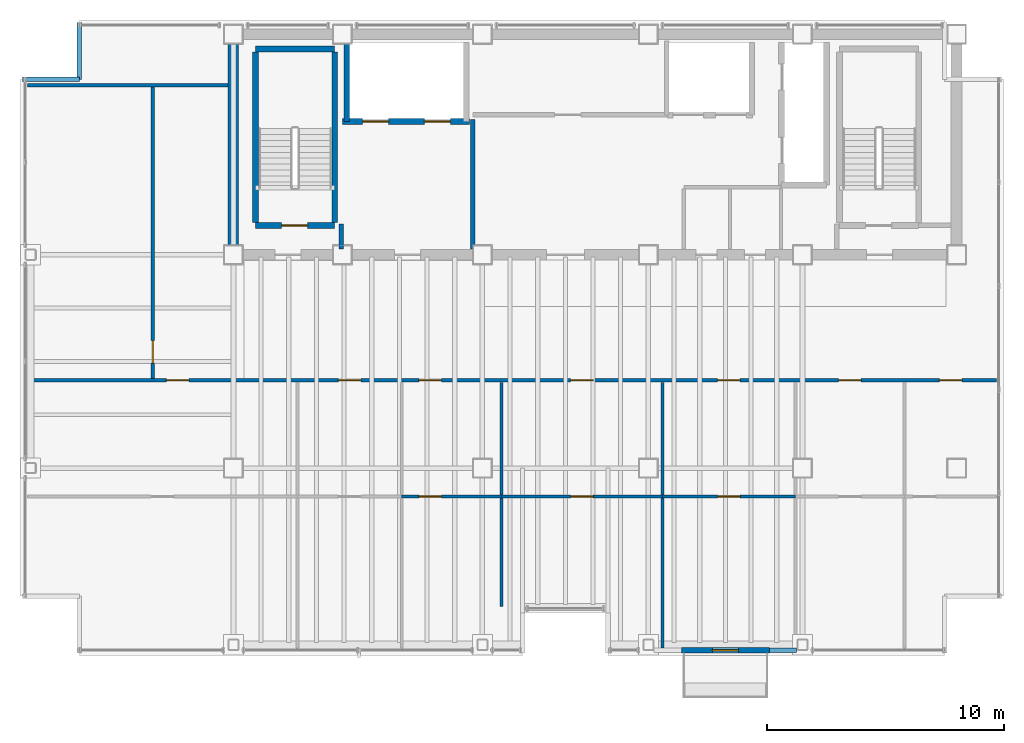
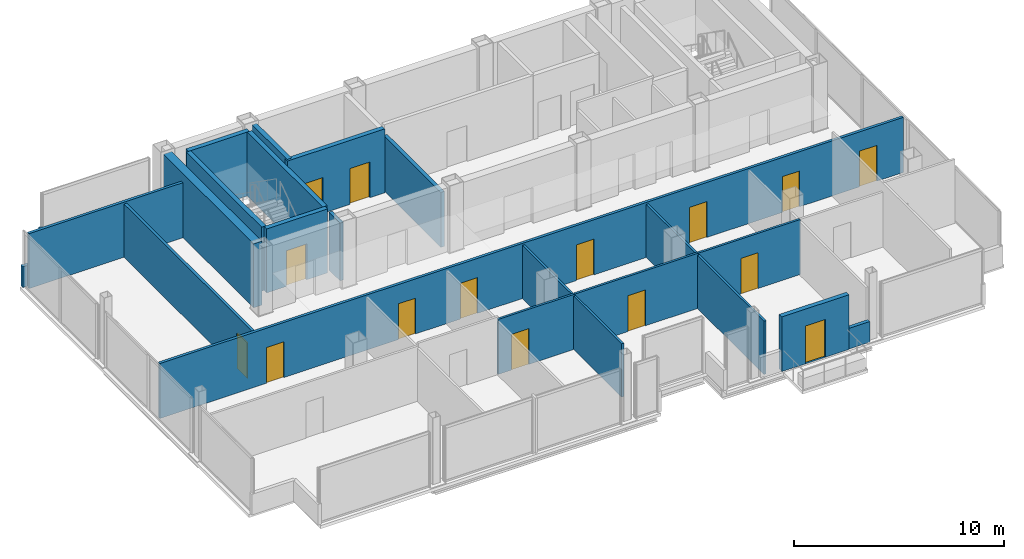
# One storey, part 14 of 17: 21 walls, 15 doors, 15 openings.
"""IFC4 building model written with IfcOpenShell, lengths in metres."""

from ifc_helpers import new_model, si_unit, direction, frame, frame_2d, origin, place, context, subcontext, project, spatial, rectangle, extrude, material, layer, layer_set, type_object, element, fill, save


model = new_model("IFC4")

# Units and contexts
model_context = context("Model", 3, precision=1e-05, world=origin(), true_north=direction((0.0, 1.0)))
body_context = subcontext(model_context, "Body", "Model", "MODEL_VIEW")
ifc_project = project(units=[si_unit("LENGTHUNIT", "METRE"), si_unit("AREAUNIT", "SQUARE_METRE"), si_unit("VOLUMEUNIT", "CUBIC_METRE"), si_unit("PLANEANGLEUNIT", "RADIAN"), si_unit("MASSUNIT", "GRAM", prefix="KILO")], contexts=[model_context])

# Site, building, storey
site_placement = place(None, origin())
site = spatial("IfcSite", under=ifc_project, at=site_placement, CompositionType="ELEMENT")
building_placement = place(site_placement, origin())
building = spatial("IfcBuilding", under=site, at=building_placement, Name="Noeulbin Bourse Tower", CompositionType="ELEMENT")
storey_placement = place(building_placement, frame((0.0, 0.0, 246.199951171875)))
storey = spatial("IfcBuildingStorey", under=building, at=storey_placement, Name="L61", CompositionType="ELEMENT", Elevation=246.199951171875)

# Wall
ifc_material_1 = material(Name="Concrete C50/60", Category="concrete")
ifc_layer_1 = layer(ifc_material_1, 0.449951171875)
ifc_layer_set_1 = layer_set([ifc_layer_1], Name="Concrete C50/60")
wall_type_1 = type_object("IfcWallType", Name="WAL-CORE-450", PredefinedType="SHEAR", material=ifc_layer_set_1)
wall_1_placement = place(storey_placement, frame((13.5, 29.35009765625, 0.0), z_axis=(0.0, 0.0, 1.0), x_axis=(0.0, 1.0, 0.0)))
element("IfcWall", 1, at=wall_1_placement, inside=storey, type_object=wall_type_1, Name="Rear Core West Shear Wall L61", PredefinedType="SHEAR", context=body_context, shape_type="SweptSolid", body=[
    extrude(rectangle(XDim=8.599853515625, YDim=0.449951171875, at=frame_2d((4.2998046875, 0.0))), origin(), (0.0, 0.0, 1.0), 3.719970703125),
])

# Wall, opening, door
ifc_material_2 = material(Name="Precast Concrete C40/50", Category="concrete")
ifc_layer_2 = layer(ifc_material_2, 0.25)
ifc_layer_set_2 = layer_set([ifc_layer_2], Name="Precast Concrete C40/50")
wall_type_2 = type_object("IfcWallType", Name="WAL-EXT-250", PredefinedType="STANDARD", material=ifc_layer_set_2)
wall_2_placement = place(storey_placement, frame((32.39990234375, 12.320068359375, 0.0), z_axis=(0.0, 0.0, 1.0), x_axis=(1.0, 0.0, 0.0)))
wall_2 = element("IfcWall", 2, at=wall_2_placement, inside=storey, type_object=wall_type_2, Name="Balcony Threshold Wall L61", PredefinedType="STANDARD", context=body_context, shape_type="SweptSolid", body=[
    extrude(rectangle(XDim=3.7001953125, YDim=0.25, at=frame_2d((1.85009765625, 0.0))), origin(), (0.0, 0.0, 1.0), 3.179931640625),
])
opening_1_placement = place(wall_2_placement, frame((1.300048828125, 0.0, 0.0)))
opening_1 = element("IfcOpeningElement", 3, at=opening_1_placement, cuts=wall_2, Name="Opening BD-11", PredefinedType="OPENING", context=body_context, shape_type="SweptSolid", body=[
    extrude(rectangle(XDim=1.10009765625, YDim=2.199951171875, at=frame_2d((0.550048828125, 1.10009765625))), frame((0.0, 0.135009765625, 0.0), z_axis=(0.0, -1.0, 0.0), x_axis=(1.0, 0.0, 0.0)), (0.0, 0.0, 1.0), 0.27001953125),
])
ifc_material_3 = material(Name="Thermally Broken Aluminium Framed Glass", Category="aluminium")
door_type_1 = type_object("IfcDoorType", Name="DR-BAL-1100", OperationType="SINGLE_SWING_LEFT", PredefinedType="DOOR", material=ifc_material_3)
door_1_placement = place(opening_1_placement, origin())
door_1 = element("IfcDoor", 4, at=door_1_placement, inside=storey, type_object=door_type_1, Name="Tree-Balcony Access Door BD-L61", OperationType="SINGLE_SWING_LEFT", OverallHeight=2.199951171875, OverallWidth=1.10009765625, PredefinedType="DOOR", context=body_context, shape_type="SweptSolid", body=[
    extrude(rectangle(XDim=1.10009765625, YDim=2.199951171875, at=frame_2d((0.550048828125, 1.10009765625))), frame((0.0, 0.02490234375, 0.0), z_axis=(0.0, -1.0, 0.0), x_axis=(1.0, 0.0, 0.0)), (0.0, 0.0, 1.0), 0.050048828125),
])
fill(opening_1, door_1)

# Walls
ifc_material_4 = material(Name="Concrete C40/50", Category="concrete")
ifc_layer_3 = layer(ifc_material_4, 0.199951171875)
ifc_layer_set_3 = layer_set([ifc_layer_3], Name="Concrete C40/50")
wall_type_3 = type_object("IfcWallType", Name="WAL-FIRE-200", PredefinedType="STANDARD", material=ifc_layer_set_3)
wall_3_placement = place(storey_placement, frame((18.050048828125, 29.235107421875, 0.0), z_axis=(0.0, 0.0, 1.0), x_axis=(0.0, 1.0, 0.0)))
element("IfcWall", 5, at=wall_3_placement, inside=storey, type_object=wall_type_3, Name="Interior Partition Wall L61-13", PredefinedType="STANDARD", context=body_context, shape_type="SweptSolid", body=[
    extrude(rectangle(XDim=1.06494140625, YDim=0.199951171875, at=frame_2d((0.532470703125, 0.0))), origin(), (0.0, 0.0, 1.0), 3.35009765625),
])
wall_4_placement = place(storey_placement, frame((23.60009765625, 29.235107421875, 0.0), z_axis=(0.0, 0.0, 1.0), x_axis=(0.0, 1.0, 0.0)))
element("IfcWall", 6, at=wall_4_placement, inside=storey, type_object=wall_type_3, Name="Interior Partition Wall L61-15", PredefinedType="STANDARD", context=body_context, shape_type="SweptSolid", body=[
    extrude(rectangle(XDim=5.46484375, YDim=0.199951171875, at=frame_2d((2.732421875, 0.0))), origin(), (0.0, 0.0, 1.0), 3.199951171875),
])
ifc_layer_4 = layer(ifc_material_4, 0.199951171875)
ifc_layer_set_4 = layer_set([ifc_layer_4], Name="Concrete C40/50")
wall_type_4 = type_object("IfcWallType", Name="WAL-PAR-200", PredefinedType="PARAPET", material=ifc_layer_set_4)
wall_5_placement = place(storey_placement, frame((36.10009765625, 12.320068359375, 0.0), z_axis=(0.0, 0.0, 1.0), x_axis=(1.0, 0.0, 0.0)))
element("IfcWall", 7, at=wall_5_placement, inside=storey, type_object=wall_type_4, Name="Perimeter Pier Spandrel Parapet L61-S2", PredefinedType="PARAPET", context=body_context, shape_type="SweptSolid", body=[
    extrude(rectangle(XDim=1.15478515625, YDim=0.199951171875, at=frame_2d((0.577392578125, 0.0))), origin(), (0.0, 0.0, 1.0), 1.199951171875),
])
wall_6_placement = place(storey_placement, frame((4.60009765625, 36.39990234375, 0.0), z_axis=(0.0, 0.0, 1.0), x_axis=(1.0, 0.0, 0.0)))
element("IfcWall", 8, at=wall_6_placement, inside=storey, type_object=wall_type_4, Name="Corner Notch Parapet L61-NW1", PredefinedType="PARAPET", context=body_context, shape_type="SweptSolid", body=[
    extrude(rectangle(XDim=2.39990234375, YDim=0.199951171875, at=frame_2d((1.199951171875, 0.0))), origin(), (0.0, 0.0, 1.0), 1.199951171875),
])
wall_7_placement = place(storey_placement, frame((7.0, 36.39990234375, 0.0), z_axis=(0.0, 0.0, 1.0), x_axis=(0.0, 1.0, 0.0)))
element("IfcWall", 9, at=wall_7_placement, inside=storey, type_object=wall_type_4, Name="Corner Notch Parapet L61-NW2", PredefinedType="PARAPET", context=body_context, shape_type="SweptSolid", body=[
    extrude(rectangle(XDim=2.400146484375, YDim=0.199951171875, at=frame_2d((1.2001953125, 0.0))), origin(), (0.0, 0.0, 1.0), 1.199951171875),
])

# Wall, opening, door
ifc_material_5 = material(Name="Steel Stud Gypsum Partition", Category="steel")
ifc_layer_5 = layer(ifc_material_5, 0.1201171875)
ifc_layer_set_5 = layer_set([ifc_layer_5], Name="Steel Stud Gypsum Partition")
wall_type_5 = type_object("IfcWallType", Name="WAL-PRT-120", PredefinedType="PARTITIONING", material=ifc_layer_set_5)
wall_8_placement = place(storey_placement, frame((20.60009765625, 18.800048828125, 0.0), z_axis=(0.0, 0.0, 1.0), x_axis=(1.0, 0.0, 0.0)))
wall_8 = element("IfcWall", 10, at=wall_8_placement, inside=storey, type_object=wall_type_5, Name="Interior Partition Wall L61-08", PredefinedType="PARTITIONING", context=body_context, shape_type="SweptSolid", body=[
    extrude(rectangle(XDim=4.199951171875, YDim=0.1201171875, at=frame_2d((2.10009765625, 0.0))), origin(), (0.0, 0.0, 1.0), 3.199951171875),
])
opening_2_placement = place(wall_8_placement, frame((0.72509765625, 0.0, 0.0)))
opening_2 = element("IfcOpeningElement", 11, at=opening_2_placement, cuts=wall_8, Name="Opening ID-09", PredefinedType="OPENING", context=body_context, shape_type="SweptSolid", body=[
    extrude(rectangle(XDim=0.949951171875, YDim=2.080078125, at=frame_2d((0.47509765625, 1.0400390625))), frame((0.0, 0.070068359375, 0.0), z_axis=(0.0, -1.0, 0.0), x_axis=(1.0, 0.0, 0.0)), (0.0, 0.0, 1.0), 0.14013671875),
])
ifc_material_6 = material(Name="Acoustic Solid-Core Timber", Category="wood")
door_type_2 = type_object("IfcDoorType", Name="DR-SINGLE-950", OperationType="SINGLE_SWING_LEFT", PredefinedType="DOOR", material=ifc_material_6)
door_2_placement = place(opening_2_placement, origin())
door_2 = element("IfcDoor", 12, at=door_2_placement, inside=storey, type_object=door_type_2, Name="Interior Door L61-12", OperationType="SINGLE_SWING_RIGHT", OverallHeight=2.080078125, OverallWidth=0.949951171875, PredefinedType="DOOR", context=body_context, shape_type="SweptSolid", body=[
    extrude(rectangle(XDim=0.949951171875, YDim=2.080078125, at=frame_2d((0.47509765625, 1.0400390625))), frame((0.0, 0.02490234375, 0.0), z_axis=(0.0, -1.0, 0.0), x_axis=(1.0, 0.0, 0.0)), (0.0, 0.0, 1.0), 0.050048828125),
])
fill(opening_2, door_2)

wall_9_placement = place(storey_placement, frame((24.800048828125, 18.800048828125, 0.0), z_axis=(0.0, 0.0, 1.0), x_axis=(1.0, 0.0, 0.0)))
wall_9 = element("IfcWall", 13, at=wall_9_placement, inside=storey, type_object=wall_type_5, Name="Interior Partition Wall L61-09", PredefinedType="PARTITIONING", context=body_context, shape_type="SweptSolid", body=[
    extrude(rectangle(XDim=6.800048828125, YDim=0.1201171875, at=frame_2d((3.39990234375, 0.0))), origin(), (0.0, 0.0, 1.0), 3.199951171875),
])
opening_3_placement = place(wall_9_placement, frame((2.925048828125, 0.0, 0.0)))
opening_3 = element("IfcOpeningElement", 14, at=opening_3_placement, cuts=wall_9, Name="Opening ID-09", PredefinedType="OPENING", context=body_context, shape_type="SweptSolid", body=[
    extrude(rectangle(XDim=0.949951171875, YDim=2.080078125, at=frame_2d((0.47509765625, 1.0400390625))), frame((0.0, 0.070068359375, 0.0), z_axis=(0.0, -1.0, 0.0), x_axis=(1.0, 0.0, 0.0)), (0.0, 0.0, 1.0), 0.14013671875),
])
door_3_placement = place(opening_3_placement, origin())
door_3 = element("IfcDoor", 15, at=door_3_placement, inside=storey, type_object=door_type_2, Name="Interior Door L61-14", OperationType="SINGLE_SWING_RIGHT", OverallHeight=2.080078125, OverallWidth=0.949951171875, PredefinedType="DOOR", context=body_context, shape_type="SweptSolid", body=[
    extrude(rectangle(XDim=0.949951171875, YDim=2.080078125, at=frame_2d((0.47509765625, 1.0400390625))), frame((0.0, 0.02490234375, 0.0), z_axis=(0.0, -1.0, 0.0), x_axis=(1.0, 0.0, 0.0)), (0.0, 0.0, 1.0), 0.050048828125),
])
fill(opening_3, door_3)

wall_10_placement = place(storey_placement, frame((31.60009765625, 18.800048828125, 0.0), z_axis=(0.0, 0.0, 1.0), x_axis=(1.0, 0.0, 0.0)))
wall_10 = element("IfcWall", 16, at=wall_10_placement, inside=storey, type_object=wall_type_5, Name="Interior Partition Wall L61-10", PredefinedType="PARTITIONING", context=body_context, shape_type="SweptSolid", body=[
    extrude(rectangle(XDim=5.599853515625, YDim=0.1201171875, at=frame_2d((2.7998046875, 0.0))), origin(), (0.0, 0.0, 1.0), 3.199951171875),
])
opening_4_placement = place(wall_10_placement, frame((2.324951171875, 0.0, 0.0)))
opening_4 = element("IfcOpeningElement", 17, at=opening_4_placement, cuts=wall_10, Name="Opening ID-09", PredefinedType="OPENING", context=body_context, shape_type="SweptSolid", body=[
    extrude(rectangle(XDim=0.949951171875, YDim=2.080078125, at=frame_2d((0.47509765625, 1.0400390625))), frame((0.0, 0.070068359375, 0.0), z_axis=(0.0, -1.0, 0.0), x_axis=(1.0, 0.0, 0.0)), (0.0, 0.0, 1.0), 0.14013671875),
])
door_4_placement = place(opening_4_placement, origin())
door_4 = element("IfcDoor", 18, at=door_4_placement, inside=storey, type_object=door_type_2, Name="Interior Door L61-16", OperationType="SINGLE_SWING_RIGHT", OverallHeight=2.080078125, OverallWidth=0.949951171875, PredefinedType="DOOR", context=body_context, shape_type="SweptSolid", body=[
    extrude(rectangle(XDim=0.949951171875, YDim=2.080078125, at=frame_2d((0.47509765625, 1.0400390625))), frame((0.0, 0.02490234375, 0.0), z_axis=(0.0, -1.0, 0.0), x_axis=(1.0, 0.0, 0.0)), (0.0, 0.0, 1.0), 0.050048828125),
])
fill(opening_4, door_4)

# Walls
wall_11_placement = place(storey_placement, frame((24.800048828125, 14.169921875, 0.0), z_axis=(0.0, 0.0, 1.0), x_axis=(0.0, 1.0, 0.0)))
element("IfcWall", 19, at=wall_11_placement, inside=storey, type_object=wall_type_5, Name="Interior Partition Wall L61-22", PredefinedType="PARTITIONING", context=body_context, shape_type="SweptSolid", body=[
    extrude(rectangle(XDim=9.445068359375, YDim=0.1201171875, at=frame_2d((4.72265625, 0.0))), origin(), (0.0, 0.0, 1.0), 3.10009765625),
])
wall_12_placement = place(storey_placement, frame((31.60009765625, 12.409912109375, 0.0), z_axis=(0.0, 0.0, 1.0), x_axis=(0.0, 1.0, 0.0)))
element("IfcWall", 20, at=wall_12_placement, inside=storey, type_object=wall_type_5, Name="Interior Partition Wall L61-23", PredefinedType="PARTITIONING", context=body_context, shape_type="SweptSolid", body=[
    extrude(rectangle(XDim=11.205078125, YDim=0.1201171875, at=frame_2d((5.6025390625, 0.0))), origin(), (0.0, 0.0, 1.0), 3.10009765625),
])

# Wall, openings, doors
ifc_material_7 = material(Name="Steel Stud Acoustic Gypsum Board", Category="steel")
ifc_layer_6 = layer(ifc_material_7, 0.14990234375)
ifc_layer_set_6 = layer_set([ifc_layer_6], Name="Steel Stud Acoustic Gypsum Board")
wall_type_6 = type_object("IfcWallType", Name="WAL-PRT-150", PredefinedType="PARTITIONING", material=ifc_layer_set_6)
wall_13_placement = place(storey_placement, frame((4.81005859375, 23.699951171875, 0.0), z_axis=(0.0, 0.0, 1.0), x_axis=(1.0, 0.0, 0.0)))
wall_13 = element("IfcWall", 21, at=wall_13_placement, inside=storey, type_object=wall_type_6, Name="Interior Partition Wall L61-04", PredefinedType="PARTITIONING", context=body_context, shape_type="SweptSolid", body=[
    extrude(rectangle(XDim=40.8798828125, YDim=0.14990234375, at=frame_2d((20.43994140625, 0.0))), origin(), (0.0, 0.0, 1.0), 3.199951171875),
])
opening_5_placement = place(wall_13_placement, frame((5.864990234375, 0.0, 0.0)))
opening_5 = element("IfcOpeningElement", 22, at=opening_5_placement, cuts=wall_13, Name="Opening ID-09", PredefinedType="OPENING", context=body_context, shape_type="SweptSolid", body=[
    extrude(rectangle(XDim=0.949951171875, YDim=2.080078125, at=frame_2d((0.47509765625, 1.0400390625))), frame((0.0, 0.0849609375, 0.0), z_axis=(0.0, -1.0, 0.0), x_axis=(1.0, 0.0, 0.0)), (0.0, 0.0, 1.0), 0.169921875),
])
opening_6_placement = place(wall_13_placement, frame((13.114990234375, 0.0, 0.0)))
opening_6 = element("IfcOpeningElement", 23, at=opening_6_placement, cuts=wall_13, Name="Opening ID-09", PredefinedType="OPENING", context=body_context, shape_type="SweptSolid", body=[
    extrude(rectangle(XDim=0.949951171875, YDim=2.080078125, at=frame_2d((0.47509765625, 1.0400390625))), frame((0.0, 0.0849609375, 0.0), z_axis=(0.0, -1.0, 0.0), x_axis=(1.0, 0.0, 0.0)), (0.0, 0.0, 1.0), 0.169921875),
])
opening_7_placement = place(wall_13_placement, frame((16.514892578125, 0.0, 0.0)))
opening_7 = element("IfcOpeningElement", 24, at=opening_7_placement, cuts=wall_13, Name="Opening ID-09", PredefinedType="OPENING", context=body_context, shape_type="SweptSolid", body=[
    extrude(rectangle(XDim=0.949951171875, YDim=2.080078125, at=frame_2d((0.47509765625, 1.0400390625))), frame((0.0, 0.0849609375, 0.0), z_axis=(0.0, -1.0, 0.0), x_axis=(1.0, 0.0, 0.0)), (0.0, 0.0, 1.0), 0.169921875),
])
opening_8_placement = place(wall_13_placement, frame((22.9150390625, 0.0, 0.0)))
opening_8 = element("IfcOpeningElement", 25, at=opening_8_placement, cuts=wall_13, Name="Opening ID-09", PredefinedType="OPENING", context=body_context, shape_type="SweptSolid", body=[
    extrude(rectangle(XDim=0.949951171875, YDim=2.080078125, at=frame_2d((0.47509765625, 1.0400390625))), frame((0.0, 0.0849609375, 0.0), z_axis=(0.0, -1.0, 0.0), x_axis=(1.0, 0.0, 0.0)), (0.0, 0.0, 1.0), 0.169921875),
])
opening_9_placement = place(wall_13_placement, frame((29.114990234375, 0.0, 0.0)))
opening_9 = element("IfcOpeningElement", 26, at=opening_9_placement, cuts=wall_13, Name="Opening ID-09", PredefinedType="OPENING", context=body_context, shape_type="SweptSolid", body=[
    extrude(rectangle(XDim=0.949951171875, YDim=2.080078125, at=frame_2d((0.47509765625, 1.0400390625))), frame((0.0, 0.0849609375, 0.0), z_axis=(0.0, -1.0, 0.0), x_axis=(1.0, 0.0, 0.0)), (0.0, 0.0, 1.0), 0.169921875),
])
opening_10_placement = place(wall_13_placement, frame((34.215087890625, 0.0, 0.0)))
opening_10 = element("IfcOpeningElement", 27, at=opening_10_placement, cuts=wall_13, Name="Opening ID-09", PredefinedType="OPENING", context=body_context, shape_type="SweptSolid", body=[
    extrude(rectangle(XDim=0.949951171875, YDim=2.080078125, at=frame_2d((0.47509765625, 1.0400390625))), frame((0.0, 0.0849609375, 0.0), z_axis=(0.0, -1.0, 0.0), x_axis=(1.0, 0.0, 0.0)), (0.0, 0.0, 1.0), 0.169921875),
])
opening_11_placement = place(wall_13_placement, frame((38.4599609375, 0.0, 0.0)))
opening_11 = element("IfcOpeningElement", 28, at=opening_11_placement, cuts=wall_13, Name="Opening ID-09", PredefinedType="OPENING", context=body_context, shape_type="SweptSolid", body=[
    extrude(rectangle(XDim=0.949951171875, YDim=2.080078125, at=frame_2d((0.47509765625, 1.0400390625))), frame((0.0, 0.0849609375, 0.0), z_axis=(0.0, -1.0, 0.0), x_axis=(1.0, 0.0, 0.0)), (0.0, 0.0, 1.0), 0.169921875),
])
door_5_placement = place(opening_5_placement, origin())
door_5 = element("IfcDoor", 29, at=door_5_placement, inside=storey, type_object=door_type_2, Name="Interior Door L61-09", OperationType="SINGLE_SWING_LEFT", OverallHeight=2.080078125, OverallWidth=0.949951171875, PredefinedType="DOOR", context=body_context, shape_type="SweptSolid", body=[
    extrude(rectangle(XDim=0.949951171875, YDim=2.080078125, at=frame_2d((0.47509765625, 1.0400390625))), frame((0.0, 0.02490234375, 0.0), z_axis=(0.0, -1.0, 0.0), x_axis=(1.0, 0.0, 0.0)), (0.0, 0.0, 1.0), 0.050048828125),
])
fill(opening_5, door_5)
door_6_placement = place(opening_6_placement, origin())
door_6 = element("IfcDoor", 30, at=door_6_placement, inside=storey, type_object=door_type_2, Name="Interior Door L61-11", OperationType="SINGLE_SWING_LEFT", OverallHeight=2.080078125, OverallWidth=0.949951171875, PredefinedType="DOOR", context=body_context, shape_type="SweptSolid", body=[
    extrude(rectangle(XDim=0.949951171875, YDim=2.080078125, at=frame_2d((0.47509765625, 1.0400390625))), frame((0.0, 0.02490234375, 0.0), z_axis=(0.0, -1.0, 0.0), x_axis=(1.0, 0.0, 0.0)), (0.0, 0.0, 1.0), 0.050048828125),
])
fill(opening_6, door_6)
door_7_placement = place(opening_7_placement, origin())
door_7 = element("IfcDoor", 31, at=door_7_placement, inside=storey, type_object=door_type_2, Name="Interior Door L61-13", OperationType="SINGLE_SWING_LEFT", OverallHeight=2.080078125, OverallWidth=0.949951171875, PredefinedType="DOOR", context=body_context, shape_type="SweptSolid", body=[
    extrude(rectangle(XDim=0.949951171875, YDim=2.080078125, at=frame_2d((0.47509765625, 1.0400390625))), frame((0.0, 0.02490234375, 0.0), z_axis=(0.0, -1.0, 0.0), x_axis=(1.0, 0.0, 0.0)), (0.0, 0.0, 1.0), 0.050048828125),
])
fill(opening_7, door_7)
door_8_placement = place(opening_8_placement, origin())
door_8 = element("IfcDoor", 32, at=door_8_placement, inside=storey, type_object=door_type_2, Name="Interior Door L61-15", OperationType="SINGLE_SWING_LEFT", OverallHeight=2.080078125, OverallWidth=0.949951171875, PredefinedType="DOOR", context=body_context, shape_type="SweptSolid", body=[
    extrude(rectangle(XDim=0.949951171875, YDim=2.080078125, at=frame_2d((0.47509765625, 1.0400390625))), frame((0.0, 0.02490234375, 0.0), z_axis=(0.0, -1.0, 0.0), x_axis=(1.0, 0.0, 0.0)), (0.0, 0.0, 1.0), 0.050048828125),
])
fill(opening_8, door_8)
door_9_placement = place(opening_9_placement, origin())
door_9 = element("IfcDoor", 33, at=door_9_placement, inside=storey, type_object=door_type_2, Name="Interior Door L61-17", OperationType="SINGLE_SWING_LEFT", OverallHeight=2.080078125, OverallWidth=0.949951171875, PredefinedType="DOOR", context=body_context, shape_type="SweptSolid", body=[
    extrude(rectangle(XDim=0.949951171875, YDim=2.080078125, at=frame_2d((0.47509765625, 1.0400390625))), frame((0.0, 0.02490234375, 0.0), z_axis=(0.0, -1.0, 0.0), x_axis=(1.0, 0.0, 0.0)), (0.0, 0.0, 1.0), 0.050048828125),
])
fill(opening_9, door_9)
door_10_placement = place(opening_10_placement, origin())
door_10 = element("IfcDoor", 34, at=door_10_placement, inside=storey, type_object=door_type_2, Name="Interior Door L61-19", OperationType="SINGLE_SWING_LEFT", OverallHeight=2.080078125, OverallWidth=0.949951171875, PredefinedType="DOOR", context=body_context, shape_type="SweptSolid", body=[
    extrude(rectangle(XDim=0.949951171875, YDim=2.080078125, at=frame_2d((0.47509765625, 1.0400390625))), frame((0.0, 0.02490234375, 0.0), z_axis=(0.0, -1.0, 0.0), x_axis=(1.0, 0.0, 0.0)), (0.0, 0.0, 1.0), 0.050048828125),
])
fill(opening_10, door_10)
door_11_placement = place(opening_11_placement, origin())
door_11 = element("IfcDoor", 35, at=door_11_placement, inside=storey, type_object=door_type_2, Name="Interior Door L61-21", OperationType="SINGLE_SWING_LEFT", OverallHeight=2.080078125, OverallWidth=0.949951171875, PredefinedType="DOOR", context=body_context, shape_type="SweptSolid", body=[
    extrude(rectangle(XDim=0.949951171875, YDim=2.080078125, at=frame_2d((0.47509765625, 1.0400390625))), frame((0.0, 0.02490234375, 0.0), z_axis=(0.0, -1.0, 0.0), x_axis=(1.0, 0.0, 0.0)), (0.0, 0.0, 1.0), 0.050048828125),
])
fill(opening_11, door_11)

# Wall
wall_14_placement = place(storey_placement, frame((4.81005859375, 36.14990234375, 0.0), z_axis=(0.0, 0.0, 1.0), x_axis=(1.0, 0.0, 0.0)))
element("IfcWall", 36, at=wall_14_placement, inside=storey, type_object=wall_type_6, Name="Interior Partition Wall L61-05", PredefinedType="PARTITIONING", context=body_context, shape_type="SweptSolid", body=[
    extrude(rectangle(XDim=8.454833984375, YDim=0.14990234375, at=frame_2d((4.2275390625, 0.0))), origin(), (0.0, 0.0, 1.0), 3.199951171875),
])

# Wall, opening, door
wall_15_placement = place(storey_placement, frame((10.10009765625, 23.784912109375, 0.0), z_axis=(0.0, 0.0, 1.0), x_axis=(0.0, 1.0, 0.0)))
wall_15 = element("IfcWall", 37, at=wall_15_placement, inside=storey, type_object=wall_type_6, Name="Interior Partition Wall L61-19", PredefinedType="PARTITIONING", context=body_context, shape_type="SweptSolid", body=[
    extrude(rectangle(XDim=12.280029296875, YDim=0.14990234375, at=frame_2d((6.14013671875, 0.0))), origin(), (0.0, 0.0, 1.0), 3.10009765625),
])
opening_12_placement = place(wall_15_placement, frame((0.639892578125, 0.0, 0.0)))
opening_12 = element("IfcOpeningElement", 38, at=opening_12_placement, cuts=wall_15, Name="Opening ID-09", PredefinedType="OPENING", context=body_context, shape_type="SweptSolid", body=[
    extrude(rectangle(XDim=0.949951171875, YDim=2.080078125, at=frame_2d((0.47509765625, 1.0400390625))), frame((0.0, 0.0849609375, 0.0), z_axis=(0.0, -1.0, 0.0), x_axis=(1.0, 0.0, 0.0)), (0.0, 0.0, 1.0), 0.169921875),
])
door_12_placement = place(opening_12_placement, origin())
door_12 = element("IfcDoor", 39, at=door_12_placement, inside=storey, type_object=door_type_2, Name="Interior Door L61-22", OperationType="SINGLE_SWING_RIGHT", OverallHeight=2.080078125, OverallWidth=0.949951171875, PredefinedType="DOOR", context=body_context, shape_type="SweptSolid", body=[
    extrude(rectangle(XDim=0.949951171875, YDim=2.080078125, at=frame_2d((0.47509765625, 1.0400390625))), frame((0.0, 0.02490234375, 0.0), z_axis=(0.0, -1.0, 0.0), x_axis=(1.0, 0.0, 0.0)), (0.0, 0.0, 1.0), 0.050048828125),
])
fill(opening_12, door_12)

ifc_layer_7 = layer(ifc_material_4, 0.25)
ifc_layer_set_7 = layer_set([ifc_layer_7], Name="Concrete C40/50")
wall_type_7 = type_object("IfcWallType", Name="WAL-SHFT-250", PredefinedType="STANDARD", material=ifc_layer_set_7)
wall_16_placement = place(storey_placement, frame((14.429931640625, 30.235107421875, 0.0), z_axis=(0.0, 0.0, 1.0), x_axis=(1.0, 0.0, 0.0)))
wall_16 = element("IfcWall", 40, at=wall_16_placement, inside=storey, type_object=wall_type_7, Name="Stair ST-1 South Shaft Wall L61", PredefinedType="STANDARD", context=body_context, shape_type="SweptSolid", body=[
    extrude(rectangle(XDim=3.340087890625, YDim=0.25, at=frame_2d((1.669921875, 0.0))), origin(), (0.0, 0.0, 1.0), 3.719970703125),
])
opening_13_placement = place(wall_16_placement, frame((1.10009765625, 0.0, 0.0)))
opening_13 = element("IfcOpeningElement", 41, at=opening_13_placement, cuts=wall_16, Name="Opening FD-11", PredefinedType="OPENING", context=body_context, shape_type="SweptSolid", body=[
    extrude(rectangle(XDim=1.10009765625, YDim=2.080078125, at=frame_2d((0.550048828125, 1.0400390625))), frame((0.0, 0.135009765625, 0.0), z_axis=(0.0, -1.0, 0.0), x_axis=(1.0, 0.0, 0.0)), (0.0, 0.0, 1.0), 0.27001953125),
])
ifc_material_8 = material(Name="Fire-Rated Insulated Steel", Category="steel")
door_type_3 = type_object("IfcDoorType", Name="DR-FD60-1100", OperationType="SINGLE_SWING_LEFT", PredefinedType="DOOR", material=ifc_material_8)
door_13_placement = place(opening_13_placement, origin())
door_13 = element("IfcDoor", 42, at=door_13_placement, inside=storey, type_object=door_type_3, Name="Protected Stair Entry Door ST1-L61", OperationType="SINGLE_SWING_LEFT", OverallHeight=2.080078125, OverallWidth=1.10009765625, PredefinedType="DOOR", context=body_context, shape_type="SweptSolid", body=[
    extrude(rectangle(XDim=1.10009765625, YDim=2.080078125, at=frame_2d((0.550048828125, 1.0400390625))), frame((0.0, 0.02490234375, 0.0), z_axis=(0.0, -1.0, 0.0), x_axis=(1.0, 0.0, 0.0)), (0.0, 0.0, 1.0), 0.050048828125),
])
fill(opening_13, door_13)

# Walls
wall_17_placement = place(storey_placement, frame((14.429931640625, 37.6689453125, 0.0), z_axis=(0.0, 0.0, 1.0), x_axis=(1.0, 0.0, 0.0)))
element("IfcWall", 43, at=wall_17_placement, inside=storey, type_object=wall_type_7, Name="Stair ST-1 North Shaft Wall L61", PredefinedType="STANDARD", context=body_context, shape_type="SweptSolid", body=[
    extrude(rectangle(XDim=3.340087890625, YDim=0.25, at=frame_2d((1.669921875, 0.0))), origin(), (0.0, 0.0, 1.0), 3.719970703125),
])
for number, where, z_axis, x_axis, name in (
    (44, (14.425048828125, 30.360107421875, 0.0), (0.0, 0.0, 1.0), (0.0, 1.0, 0.0), "Stair ST-1 West Shaft Wall L61"),
    (45, (17.77490234375, 30.360107421875, 0.0), (0.0, 0.0, 1.0), (0.0, 1.0, 0.0), "Stair ST-1 East Shaft Wall L61"),
):
    element("IfcWall", number, at=place(storey_placement, frame(where, z_axis=z_axis, x_axis=x_axis)), inside=storey, type_object=wall_type_7, Name=name, PredefinedType="STANDARD", context=body_context, shape_type="SweptSolid", body=[
        extrude(rectangle(XDim=7.183837890625, YDim=0.25, at=frame_2d((3.591796875, 0.0))), origin(), (0.0, 0.0, 1.0), 3.719970703125),
    ])

# Wall, openings, doors
wall_18_placement = place(storey_placement, frame((18.10009765625, 34.6201171875, 0.0), z_axis=(0.0, 0.0, 1.0), x_axis=(1.0, 0.0, 0.0)))
wall_18 = element("IfcWall", 46, at=wall_18_placement, inside=storey, type_object=wall_type_7, Name="Firefighting Lift Shaft Front L61", PredefinedType="STANDARD", context=body_context, shape_type="SweptSolid", body=[
    extrude(rectangle(XDim=5.349853515625, YDim=0.25, at=frame_2d((2.6748046875, 0.0))), origin(), (0.0, 0.0, 1.0), 3.719970703125),
])
opening_14_placement = place(wall_18_placement, frame((0.85009765625, 0.0, 0.0)))
opening_14 = element("IfcOpeningElement", 47, at=opening_14_placement, cuts=wall_18, Name="Opening LD-11", PredefinedType="OPENING", context=body_context, shape_type="SweptSolid", body=[
    extrude(rectangle(XDim=1.10009765625, YDim=2.080078125, at=frame_2d((0.550048828125, 1.0400390625))), frame((0.0, 0.135009765625, 0.0), z_axis=(0.0, -1.0, 0.0), x_axis=(1.0, 0.0, 0.0)), (0.0, 0.0, 1.0), 0.27001953125),
])
opening_15_placement = place(wall_18_placement, frame((3.449951171875, 0.0, 0.0)))
opening_15 = element("IfcOpeningElement", 48, at=opening_15_placement, cuts=wall_18, Name="Opening LD-11", PredefinedType="OPENING", context=body_context, shape_type="SweptSolid", body=[
    extrude(rectangle(XDim=1.10009765625, YDim=2.080078125, at=frame_2d((0.550048828125, 1.0400390625))), frame((0.0, 0.135009765625, 0.0), z_axis=(0.0, -1.0, 0.0), x_axis=(1.0, 0.0, 0.0)), (0.0, 0.0, 1.0), 0.27001953125),
])
ifc_material_9 = material(Name="Brushed Stainless Steel 316", Category="steel")
door_type_4 = type_object("IfcDoorType", Name="DR-LIFT-1100", OperationType="SLIDING_TO_LEFT", PredefinedType="DOOR", material=ifc_material_9)
door_14_placement = place(opening_14_placement, origin())
door_14 = element("IfcDoor", 49, at=door_14_placement, inside=storey, type_object=door_type_4, Name="Lift Landing Door LD-FL-01-L61", OperationType="SLIDING_TO_LEFT", OverallHeight=2.080078125, OverallWidth=1.10009765625, PredefinedType="DOOR", context=body_context, shape_type="SweptSolid", body=[
    extrude(rectangle(XDim=1.10009765625, YDim=2.080078125, at=frame_2d((0.550048828125, 1.0400390625))), frame((0.0, 0.02490234375, 0.0), z_axis=(0.0, -1.0, 0.0), x_axis=(1.0, 0.0, 0.0)), (0.0, 0.0, 1.0), 0.050048828125),
])
fill(opening_14, door_14)
door_15_placement = place(opening_15_placement, origin())
door_15 = element("IfcDoor", 50, at=door_15_placement, inside=storey, type_object=door_type_4, Name="Lift Landing Door LD-FL-02-L61", OperationType="SLIDING_TO_LEFT", OverallHeight=2.080078125, OverallWidth=1.10009765625, PredefinedType="DOOR", context=body_context, shape_type="SweptSolid", body=[
    extrude(rectangle(XDim=1.10009765625, YDim=2.080078125, at=frame_2d((0.550048828125, 1.0400390625))), frame((0.0, 0.02490234375, 0.0), z_axis=(0.0, -1.0, 0.0), x_axis=(1.0, 0.0, 0.0)), (0.0, 0.0, 1.0), 0.050048828125),
])
fill(opening_15, door_15)

# Wall
wall_19_placement = place(storey_placement, frame((18.280029296875, 34.6201171875, 0.0), z_axis=(0.0, 0.0, 1.0), x_axis=(0.0, 1.0, 0.0)))
element("IfcWall", 51, at=wall_19_placement, inside=storey, type_object=wall_type_7, Name="Firefighting Lift West Shaft Wall L61", PredefinedType="STANDARD", context=body_context, shape_type="SweptSolid", body=[
    extrude(rectangle(XDim=3.329833984375, YDim=0.25, at=frame_2d((1.6650390625, 0.0))), origin(), (0.0, 0.0, 1.0), 3.719970703125),
])

save(model, "model.ifc")
